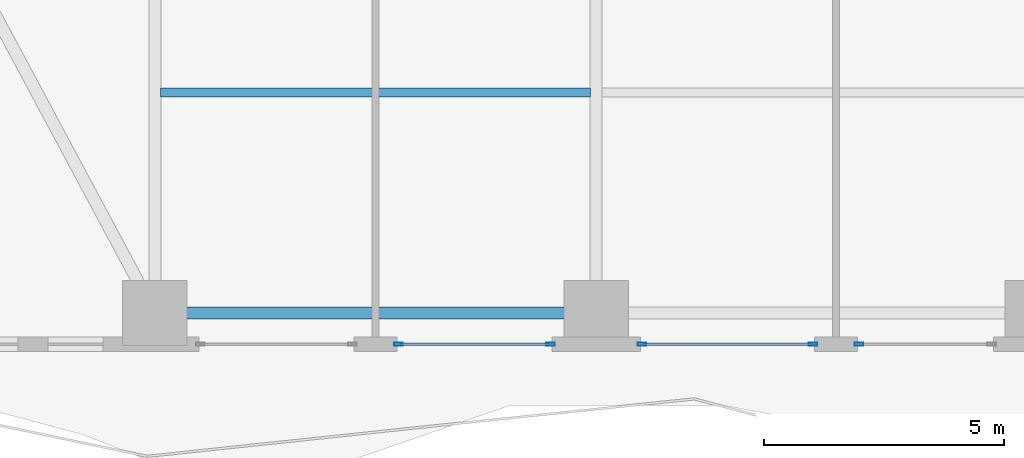
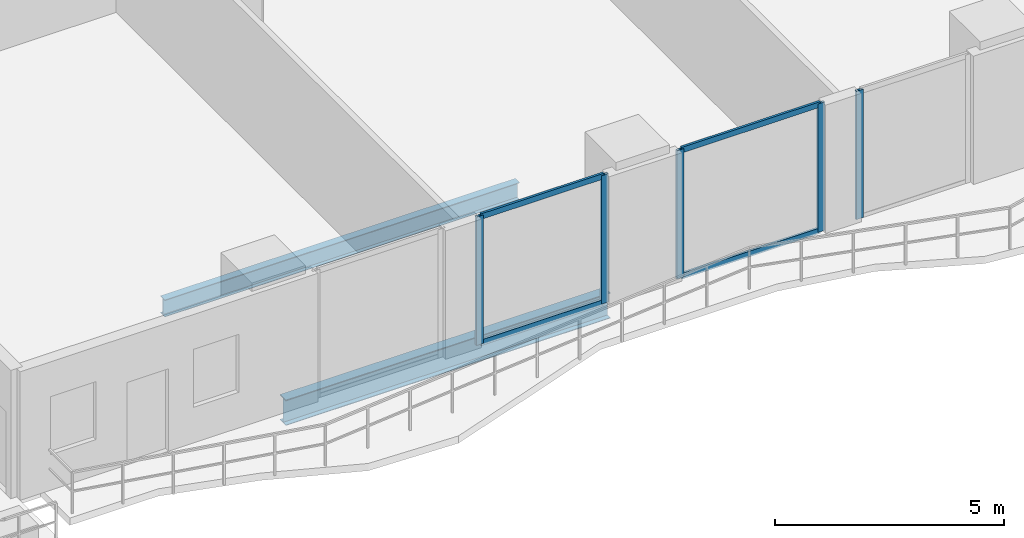
# One storey, part 4 of 28: 9 members, 2 beams, 3 elements without a shape of their own.
"""IFC4 building model written with IfcOpenShell, lengths in metres."""

from ifc_helpers import new_model, si_unit, direction, frame, origin, origin_2d, place, context, subcontext, project, spatial, hollow_rectangle, i_section, extrude, material, layer, layer_set, material_profile, profile_set, type_object, element, aggregate, save


model = new_model("IFC4")

# Units and contexts
model_context = context("Model", 3, precision=1e-05, world=origin(), true_north=direction((0.0, 1.0)))
body_context = subcontext(model_context, "Body", "Model", "MODEL_VIEW")
ifc_project = project(units=[si_unit("LENGTHUNIT", "METRE"), si_unit("AREAUNIT", "SQUARE_METRE"), si_unit("VOLUMEUNIT", "CUBIC_METRE"), si_unit("PLANEANGLEUNIT", "RADIAN"), si_unit("MASSUNIT", "GRAM", prefix="KILO")], contexts=[model_context])

# Site, building, storey
site_placement = place(None, origin())
site = spatial("IfcSite", under=ifc_project, at=site_placement, CompositionType="ELEMENT")
building_placement = place(site_placement, origin())
building = spatial("IfcBuilding", under=site, at=building_placement, Name="Zuhayl Quay Hotel", CompositionType="ELEMENT")
storey_placement = place(building_placement, frame((0.0, 0.0, 121.199951171875)))
storey = spatial("IfcBuildingStorey", under=building, at=storey_placement, Name="L30", CompositionType="ELEMENT", Elevation=121.199951171875)

# Beams
ifc_material_1 = material(Name="Steel ASTM A992 Grade 50", Category="steel")
ifc_material_profile_1 = material_profile(ifc_material_1, i_section(OverallWidth=0.25390625, OverallDepth=0.68310546875, WebThickness=0.012451171875, FlangeThickness=0.018798828125, at=origin_2d()), Name="W27X94")
ifc_profile_set_1 = profile_set([ifc_material_profile_1], Name="Steel ASTM A992 Grade 50")
beam_type_1 = type_object("IfcBeamType", Name="BM_B2_W27X94", PredefinedType="BEAM", material=ifc_profile_set_1)
beam_1_placement = place(storey_placement, frame((-13.300048828125, -14.75, -0.5615234375), z_axis=(1.0, 0.0, 0.0), x_axis=(0.0, 1.0, 0.0)))
element("IfcBeam", 1, at=beam_1_placement, inside=storey, type_object=beam_type_1, Name="L30 Floor Beam RG_L30_01", PredefinedType="BEAM", context=body_context, shape_type="SweptSolid", body=[
    extrude(i_section(OverallWidth=0.25390625, OverallDepth=0.68310546875, WebThickness=0.012451171875, FlangeThickness=0.018798828125, at=origin_2d()), origin(), (0.0, 0.0, 1.0), 8.199951171875),
])
ifc_material_profile_2 = material_profile(ifc_material_1, i_section(OverallWidth=0.18994140625, OverallDepth=0.45703125, WebThickness=0.009033203125, FlangeThickness=0.014404296875, at=origin_2d()), Name="W18X50")
ifc_profile_set_2 = profile_set([ifc_material_profile_2], Name="Steel ASTM A992 Grade 50")
beam_type_2 = type_object("IfcBeamType", Name="BM_J2_W18X50", PredefinedType="JOIST", material=ifc_profile_set_2)
beam_2_placement = place(storey_placement, frame((-13.680908203125, -10.14990234375, -0.448486328125), z_axis=(1.0, 0.0, 0.0), x_axis=(0.0, 1.0, 0.0)))
element("IfcBeam", 2, at=beam_2_placement, inside=storey, type_object=beam_type_2, Name="L30 Floor Beam FJ_L30_5_1", PredefinedType="JOIST", context=body_context, shape_type="SweptSolid", body=[
    extrude(i_section(OverallWidth=0.18994140625, OverallDepth=0.45703125, WebThickness=0.009033203125, FlangeThickness=0.014404296875, at=origin_2d()), origin(), (0.0, 0.0, 1.0), 8.9619140625),
])

# Curtain wall, member
ifc_material_2 = material(Name="Anodised Aluminium 6063-T6", Category="aluminium")
ifc_layer = layer(ifc_material_2, 0.179931640625, Name="Anodised Aluminium 6063-T6", Category="aluminium")
ifc_layer_set = layer_set([ifc_layer], Name="Anodised Aluminium 6063-T6")
curtain_wall_type = type_object("IfcCurtainWallType", Name="CW_SYS_Z2", PredefinedType="USERDEFINED", material=ifc_layer_set)
curtain_wall_1_placement = place(storey_placement, origin())
curtain_wall_1 = element("IfcCurtainWall", 3, at=curtain_wall_1_placement, inside=storey, type_object=curtain_wall_type, Name="L30 Curtain Wall ENV_L30_S_CW4", ObjectType="UNITISED CURTAIN WALL", PredefinedType="USERDEFINED")
ifc_material_3 = material(Name="Black-anodised aluminium 6063-T6", Category="aluminium")
ifc_material_profile_3 = material_profile(ifc_material_3, hollow_rectangle(XDim=0.06494140625, YDim=0.179931640625, WallThickness=0.00341796875, at=origin_2d()), Name="ALU180X65")
ifc_profile_set_3 = profile_set([ifc_material_profile_3], Name="Black-anodised aluminium 6063-T6")
member_type_1 = type_object("IfcMemberType", Name="MB_CW_MUL_180", PredefinedType="MULLION", material=ifc_profile_set_3)
member_1_placement = place(storey_placement, frame((0.882568359375, -15.39990234375, 0.0), z_axis=(0.0, 0.0, 1.0), x_axis=(0.0, -1.0, 0.0)))
member_1 = element("IfcMember", 4, at=member_1_placement, type_object=member_type_1, Name="CW-Z2 mullion 2", PredefinedType="MULLION", context=body_context, shape_type="SweptSolid", body=[
    extrude(hollow_rectangle(XDim=0.06494140625, YDim=0.179931640625, WallThickness=0.00341796875, at=origin_2d()), origin(), (0.0, 0.0, 1.0), 3.429931640625),
])
aggregate(curtain_wall_1, [member_1])

# Curtain wall, members
curtain_wall_2_placement = place(storey_placement, origin())
curtain_wall_2 = element("IfcCurtainWall", 5, at=curtain_wall_2_placement, inside=storey, type_object=curtain_wall_type, Name="L30 Curtain Wall ENV_L30_S_CW5", ObjectType="UNITISED CURTAIN WALL", PredefinedType="USERDEFINED")
member_2_placement = place(storey_placement, frame((-0.08251953125, -15.39990234375, 0.0), z_axis=(0.0, 0.0, 1.0), x_axis=(0.0, -1.0, 0.0)))
member_2 = element("IfcMember", 6, at=member_2_placement, type_object=member_type_1, Name="CW-Z2 mullion 1", PredefinedType="MULLION", context=body_context, shape_type="SweptSolid", body=[
    extrude(hollow_rectangle(XDim=0.06494140625, YDim=0.179931640625, WallThickness=0.00341796875, at=origin_2d()), origin(), (0.0, 0.0, 1.0), 3.429931640625),
])
member_3_placement = place(storey_placement, frame((-3.6474609375, -15.39990234375, 0.0), z_axis=(0.0, 0.0, 1.0), x_axis=(0.0, -1.0, 0.0)))
member_3 = element("IfcMember", 7, at=member_3_placement, type_object=member_type_1, Name="CW-Z2 mullion 2", PredefinedType="MULLION", context=body_context, shape_type="SweptSolid", body=[
    extrude(hollow_rectangle(XDim=0.06494140625, YDim=0.179931640625, WallThickness=0.00341796875, at=origin_2d()), origin(), (0.0, 0.0, 1.0), 3.429931640625),
])

curtain_wall_3_placement = place(storey_placement, origin())
curtain_wall_3 = element("IfcCurtainWall", 8, at=curtain_wall_3_placement, inside=storey, type_object=curtain_wall_type, Name="L30 Curtain Wall ENV_L30_S_CW6", ObjectType="UNITISED CURTAIN WALL", PredefinedType="USERDEFINED")
member_4_placement = place(storey_placement, frame((-5.552490234375, -15.39990234375, 0.0), z_axis=(0.0, 0.0, 1.0), x_axis=(0.0, -1.0, 0.0)))
member_4 = element("IfcMember", 9, at=member_4_placement, type_object=member_type_1, Name="CW-Z2 mullion 1", PredefinedType="MULLION", context=body_context, shape_type="SweptSolid", body=[
    extrude(hollow_rectangle(XDim=0.06494140625, YDim=0.179931640625, WallThickness=0.00341796875, at=origin_2d()), origin(), (0.0, 0.0, 1.0), 3.429931640625),
])
member_5_placement = place(storey_placement, frame((-8.717529296875, -15.39990234375, 0.0), z_axis=(0.0, 0.0, 1.0), x_axis=(0.0, -1.0, 0.0)))
member_5 = element("IfcMember", 10, at=member_5_placement, type_object=member_type_1, Name="CW-Z2 mullion 2", PredefinedType="MULLION", context=body_context, shape_type="SweptSolid", body=[
    extrude(hollow_rectangle(XDim=0.06494140625, YDim=0.179931640625, WallThickness=0.00341796875, at=origin_2d()), origin(), (0.0, 0.0, 1.0), 3.429931640625),
])

# Member
ifc_material_profile_4 = material_profile(ifc_material_3, hollow_rectangle(XDim=0.06005859375, YDim=0.14990234375, WallThickness=0.00341796875, at=origin_2d()), Name="ALU150X60")
ifc_profile_set_4 = profile_set([ifc_material_profile_4], Name="Black-anodised aluminium 6063-T6")
member_type_2 = type_object("IfcMemberType", Name="MB_CW_TRN_150", PredefinedType="USERDEFINED", material=ifc_profile_set_4)
member_6_placement = place(storey_placement, frame((-0.114990234375, -15.39990234375, 0.030029296875), z_axis=(-1.0, 0.0, 0.0), x_axis=(0.0, -1.0, 0.0)))
member_6 = element("IfcMember", 11, at=member_6_placement, type_object=member_type_2, Name="CW-Z2 transom 1.1", ObjectType="TRANSOM", PredefinedType="USERDEFINED", context=body_context, shape_type="SweptSolid", body=[
    extrude(hollow_rectangle(XDim=0.06005859375, YDim=0.14990234375, WallThickness=0.00341796875, at=origin_2d()), origin(), (0.0, 0.0, 1.0), 3.5),
])

member_7_placement = place(storey_placement, frame((-0.114990234375, -15.39990234375, 3.400146484375), z_axis=(-1.0, 0.0, 0.0), x_axis=(0.0, -1.0, 0.0)))
member_7 = element("IfcMember", 12, at=member_7_placement, type_object=member_type_2, Name="CW-Z2 transom 1.2", ObjectType="TRANSOM", PredefinedType="USERDEFINED", context=body_context, shape_type="SweptSolid", body=[
    extrude(hollow_rectangle(XDim=0.06005859375, YDim=0.14990234375, WallThickness=0.00341796875, at=origin_2d()), origin(), (0.0, 0.0, 1.0), 3.5),
])

aggregate(curtain_wall_2, [member_2, member_3, member_6, member_7])

member_8_placement = place(storey_placement, frame((-5.5849609375, -15.39990234375, 0.030029296875), z_axis=(-1.0, 0.0, 0.0), x_axis=(0.0, -1.0, 0.0)))
member_8 = element("IfcMember", 13, at=member_8_placement, type_object=member_type_2, Name="CW-Z2 transom 1.1", ObjectType="TRANSOM", PredefinedType="USERDEFINED", context=body_context, shape_type="SweptSolid", body=[
    extrude(hollow_rectangle(XDim=0.06005859375, YDim=0.14990234375, WallThickness=0.00341796875, at=origin_2d()), origin(), (0.0, 0.0, 1.0), 3.10009765625),
])

member_9_placement = place(storey_placement, frame((-5.5849609375, -15.39990234375, 3.400146484375), z_axis=(-1.0, 0.0, 0.0), x_axis=(0.0, -1.0, 0.0)))
member_9 = element("IfcMember", 14, at=member_9_placement, type_object=member_type_2, Name="CW-Z2 transom 1.2", ObjectType="TRANSOM", PredefinedType="USERDEFINED", context=body_context, shape_type="SweptSolid", body=[
    extrude(hollow_rectangle(XDim=0.06005859375, YDim=0.14990234375, WallThickness=0.00341796875, at=origin_2d()), origin(), (0.0, 0.0, 1.0), 3.10009765625),
])

aggregate(curtain_wall_3, [member_4, member_5, member_8, member_9])

save(model, "model.ifc")
